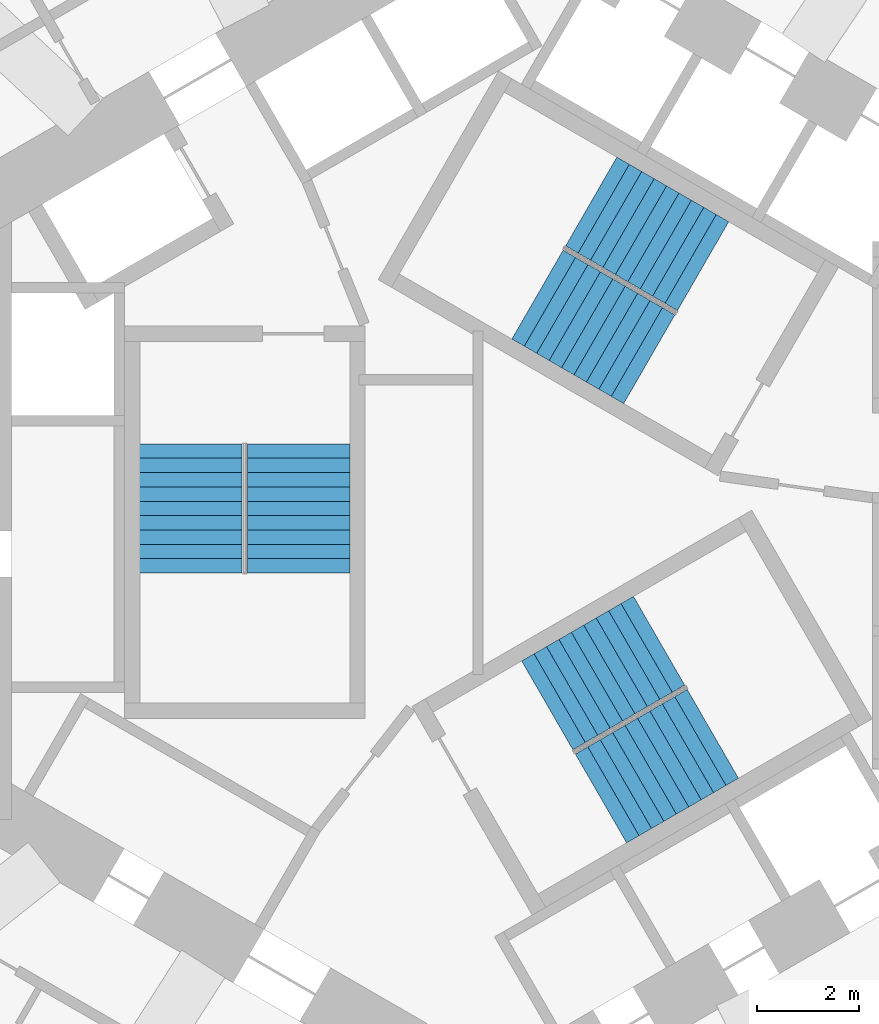
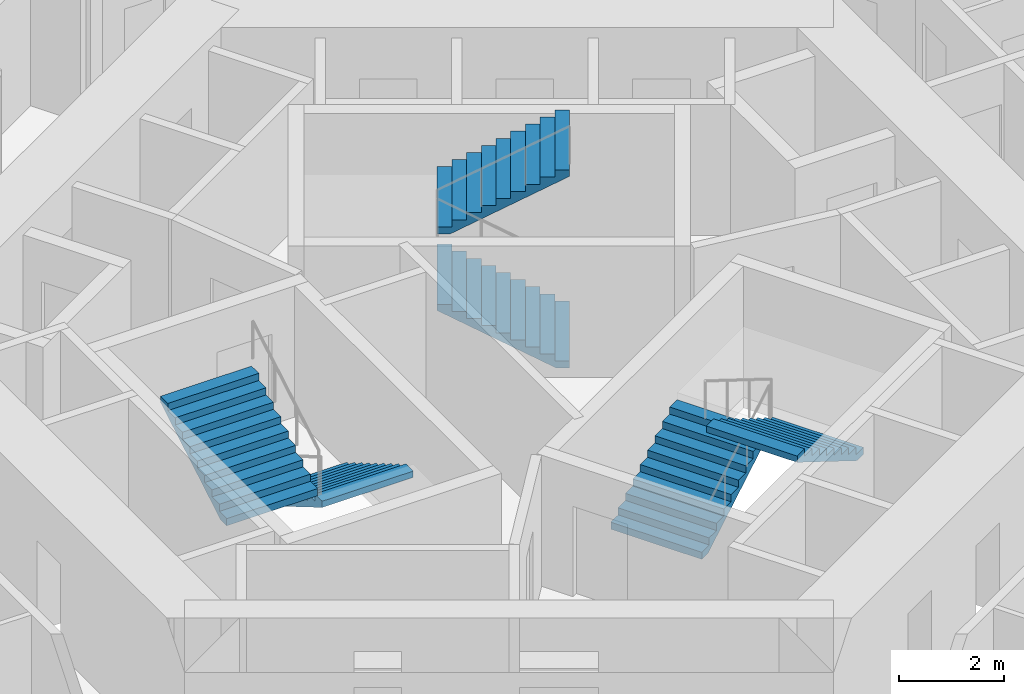
# One storey, part 10 of 12: 6 stair flights, 3 elements without a shape of their own.
"""IFC4 building model written with IfcOpenShell, lengths in metres."""

from ifc_helpers import new_model, si_unit, direction, frame, origin, place, context, subcontext, project, spatial, triangles, source, transform, mapped, material, type_object, element, aggregate, save


model = new_model("IFC4")

# Units and contexts
model_context = context("Model", 3, precision=1e-05, world=origin(), true_north=direction((0.0, 1.0)))
body_context = subcontext(model_context, "Body", "Model", "MODEL_VIEW")
ifc_project = project(units=[si_unit("LENGTHUNIT", "METRE"), si_unit("AREAUNIT", "SQUARE_METRE"), si_unit("VOLUMEUNIT", "CUBIC_METRE"), si_unit("PLANEANGLEUNIT", "RADIAN"), si_unit("MASSUNIT", "GRAM", prefix="KILO")], contexts=[model_context])

# Site, building, storey
site_placement = place(None, origin())
site = spatial("IfcSite", under=ifc_project, at=site_placement, CompositionType="ELEMENT")
building_placement = place(site_placement, origin())
building = spatial("IfcBuilding", under=site, at=building_placement, Name="Vanh Sen Convention Tower", CompositionType="ELEMENT")
storey_placement = place(building_placement, frame((0.0, 0.0, 47.300048828125)))
storey = spatial("IfcBuildingStorey", under=building, at=storey_placement, Name="L08", CompositionType="ELEMENT", Elevation=47.300048828125)

# Stair, stair flights
ifc_material_1 = material(Name="Concrete C50/60", Category="concrete")
stair_type_1 = type_object("IfcStairType", Name="Exit stair ST1 20 risers at 165.0", PredefinedType="HALF_TURN_STAIR", material=ifc_material_1)
stair_1_placement = place(storey_placement, origin())
stair_1 = element("IfcStair", 1, at=stair_1_placement, inside=storey, type_object=stair_type_1, Name="Exit stair ST1 L08", PredefinedType="HALF_TURN_STAIR")
ifc_material_2 = material(Name="Concrete C40/50", Category="concrete")
stair_flight_type = type_object("IfcStairFlightType", Name="Stair flight 2000", PredefinedType="STRAIGHT", material=ifc_material_2)
shared_shape = source(origin(), body_context, "Body", "Tessellation", [
    triangles([(0.24609375, 1.0, 0.0), (0.0, 1.0, 0.0), (0.0, 1.0, 0.1650390625), (0.280029296875, 1.0, 0.1650390625), (0.280029296875, 1.0, 0.330078125), (0.56005859375, 1.0, 0.330078125), (0.56005859375, 1.0, 0.4951171875), (0.840087890625, 1.0, 0.4951171875), (0.840087890625, 1.0, 0.659912109375), (1.1201171875, 1.0, 0.659912109375), (1.1201171875, 1.0, 0.824951171875), (1.39990234375, 1.0, 0.824951171875), (1.39990234375, 1.0, 0.989990234375), (1.679931640625, 1.0, 0.989990234375), (1.679931640625, 1.0, 1.155029296875), (1.9599609375, 1.0, 1.155029296875), (1.9599609375, 1.0, 1.320068359375), (2.239990234375, 1.0, 1.320068359375), (2.239990234375, 1.0, 1.485107421875), (2.52001953125, 1.0, 1.485107421875), (2.52001953125, 1.0, 1.33984375), (0.24609375, -1.0, 0.0), (0.0, -1.0, 0.0), (0.0, -1.0, 0.1650390625), (0.280029296875, -1.0, 0.1650390625), (0.280029296875, -1.0, 0.330078125), (0.56005859375, -1.0, 0.330078125), (0.56005859375, -1.0, 0.4951171875), (0.840087890625, -1.0, 0.4951171875), (0.840087890625, -1.0, 0.659912109375), (1.1201171875, -1.0, 0.659912109375), (1.1201171875, -1.0, 0.824951171875), (1.39990234375, -1.0, 0.824951171875), (1.39990234375, -1.0, 0.989990234375), (1.679931640625, -1.0, 0.989990234375), (1.679931640625, -1.0, 1.155029296875), (1.9599609375, -1.0, 1.155029296875), (1.9599609375, -1.0, 1.320068359375), (2.239990234375, -1.0, 1.320068359375), (2.239990234375, -1.0, 1.485107421875), (2.52001953125, -1.0, 1.485107421875), (2.52001953125, -1.0, 1.33984375), (0.0, 0.0400390625, 0.0), (0.0, 0.0390625, 0.0), (0.0, 0.0380859375, 0.0), (0.0, 0.037109375, 0.0), (0.0, 0.035888671875, 0.0), (0.0, 0.034912109375, 0.0), (0.0, 0.033935546875, 0.0), (0.0, 0.032958984375, 0.0), (0.0, 0.031982421875, 0.0), (0.0, 0.031005859375, 0.0), (0.0, 0.030029296875, 0.0), (0.0, 0.029052734375, 0.0), (0.0, 0.028076171875, 0.0), (0.0, 0.027099609375, 0.0), (0.0, 0.02587890625, 0.0), (0.0, 0.02490234375, 0.0), (0.0, 0.02392578125, 0.0), (0.0, 0.02294921875, 0.0), (0.0, 0.02197265625, 0.0), (0.0, 0.02099609375, 0.0), (0.0, 0.02001953125, 0.0), (0.0, 0.01904296875, 0.0), (0.0, 0.01806640625, 0.0), (0.0, 0.01708984375, 0.0), (0.0, 0.01611328125, 0.0), (0.0, 0.014892578125, 0.0), (0.0, 0.013916015625, 0.0), (0.0, 0.012939453125, 0.0), (0.0, 0.011962890625, 0.0), (0.0, 0.010986328125, 0.0), (0.0, 0.010009765625, 0.0), (0.0, 0.009033203125, 0.0), (0.0, 0.008056640625, 0.0), (0.0, 0.007080078125, 0.0), (0.0, 0.006103515625, 0.0), (0.0, 0.0048828125, 0.0), (0.0, 0.00390625, 0.0), (0.0, 0.0029296875, 0.0), (0.0, 0.001953125, 0.0), (0.0, 0.0009765625, 0.0), (0.0, 0.0, 0.0), (0.0, -0.0009765625, 0.0), (0.0, -0.001953125, 0.0), (0.0, -0.0029296875, 0.0), (0.0, -0.00390625, 0.0), (0.0, -0.0048828125, 0.0), (0.0, -0.006103515625, 0.0), (0.0, -0.007080078125, 0.0), (0.0, -0.008056640625, 0.0), (0.0, -0.009033203125, 0.0), (0.0, -0.010009765625, 0.0), (0.0, -0.010986328125, 0.0), (0.0, -0.011962890625, 0.0), (0.0, -0.012939453125, 0.0), (0.0, -0.013916015625, 0.0), (0.0, -0.014892578125, 0.0), (0.0, -0.01611328125, 0.0), (0.0, -0.01708984375, 0.0), (0.0, -0.01806640625, 0.0), (0.0, -0.01904296875, 0.0), (0.0, -0.02001953125, 0.0), (0.0, -0.02099609375, 0.0), (0.0, -0.02197265625, 0.0), (0.0, -0.02294921875, 0.0), (0.0, -0.02392578125, 0.0), (0.0, -0.02490234375, 0.0), (0.0, -0.02587890625, 0.0), (0.0, -0.027099609375, 0.0), (0.0, -0.028076171875, 0.0), (0.0, -0.029052734375, 0.0), (0.0, -0.030029296875, 0.0), (0.0, -0.031005859375, 0.0), (0.0, -0.031982421875, 0.0), (0.0, -0.032958984375, 0.0), (0.0, -0.033935546875, 0.0), (0.0, -0.034912109375, 0.0), (0.0, -0.035888671875, 0.0), (0.0, -0.037109375, 0.0), (0.0, -0.0380859375, 0.0), (0.0, -0.0390625, 0.0), (0.0, -0.0400390625, 0.0), (0.0, 0.0400390625, 0.1650390625), (0.0, 0.0390625, 0.1650390625), (0.0, 0.0380859375, 0.1650390625), (0.0, 0.037109375, 0.1650390625), (0.0, 0.035888671875, 0.1650390625), (0.0, 0.034912109375, 0.1650390625), (0.0, 0.033935546875, 0.1650390625), (0.0, 0.032958984375, 0.1650390625), (0.0, 0.031982421875, 0.1650390625), (0.0, 0.031005859375, 0.1650390625), (0.0, 0.030029296875, 0.1650390625), (0.0, 0.029052734375, 0.1650390625), (0.0, 0.028076171875, 0.1650390625), (0.0, 0.027099609375, 0.1650390625), (0.0, 0.02587890625, 0.1650390625), (0.0, 0.02490234375, 0.1650390625), (0.0, 0.02392578125, 0.1650390625), (0.0, 0.02294921875, 0.1650390625), (0.0, 0.02197265625, 0.1650390625), (0.0, 0.02099609375, 0.1650390625), (0.0, 0.02001953125, 0.1650390625), (0.0, 0.01904296875, 0.1650390625), (0.0, 0.01806640625, 0.1650390625), (0.0, 0.01708984375, 0.1650390625), (0.0, 0.01611328125, 0.1650390625), (0.0, 0.014892578125, 0.1650390625), (0.0, 0.013916015625, 0.1650390625), (0.0, 0.012939453125, 0.1650390625), (0.0, 0.011962890625, 0.1650390625), (0.0, 0.010986328125, 0.1650390625), (0.0, 0.010009765625, 0.1650390625), (0.0, 0.009033203125, 0.1650390625), (0.0, 0.008056640625, 0.1650390625), (0.0, 0.007080078125, 0.1650390625), (0.0, 0.006103515625, 0.1650390625), (0.0, 0.0048828125, 0.1650390625), (0.0, 0.00390625, 0.1650390625), (0.0, 0.0029296875, 0.1650390625), (0.0, 0.001953125, 0.1650390625), (0.0, 0.0009765625, 0.1650390625), (0.0, 0.0, 0.1650390625), (0.0, -0.0009765625, 0.1650390625), (0.0, -0.001953125, 0.1650390625), (0.0, -0.0029296875, 0.1650390625), (0.0, -0.00390625, 0.1650390625), (0.0, -0.0048828125, 0.1650390625), (0.0, -0.006103515625, 0.1650390625), (0.0, -0.007080078125, 0.1650390625), (0.0, -0.008056640625, 0.1650390625), (0.0, -0.009033203125, 0.1650390625), (0.0, -0.010009765625, 0.1650390625), (0.0, -0.010986328125, 0.1650390625), (0.0, -0.011962890625, 0.1650390625), (0.0, -0.012939453125, 0.1650390625), (0.0, -0.013916015625, 0.1650390625), (0.0, -0.014892578125, 0.1650390625), (0.0, -0.01611328125, 0.1650390625), (0.0, -0.01708984375, 0.1650390625), (0.0, -0.01806640625, 0.1650390625), (0.0, -0.01904296875, 0.1650390625), (0.0, -0.02001953125, 0.1650390625), (0.0, -0.02099609375, 0.1650390625), (0.0, -0.02197265625, 0.1650390625), (0.0, -0.02294921875, 0.1650390625), (0.0, -0.02392578125, 0.1650390625), (0.0, -0.02490234375, 0.1650390625), (0.0, -0.02587890625, 0.1650390625), (0.0, -0.027099609375, 0.1650390625), (0.0, -0.028076171875, 0.1650390625), (0.0, -0.029052734375, 0.1650390625), (0.0, -0.030029296875, 0.1650390625), (0.0, -0.031005859375, 0.1650390625), (0.0, -0.031982421875, 0.1650390625), (0.0, -0.032958984375, 0.1650390625), (0.0, -0.033935546875, 0.1650390625), (0.0, -0.034912109375, 0.1650390625), (0.0, -0.035888671875, 0.1650390625), (0.0, -0.037109375, 0.1650390625), (0.0, -0.0380859375, 0.1650390625), (0.0, -0.0390625, 0.1650390625), (0.0, -0.0400390625, 0.1650390625), (0.280029296875, 0.0, 0.1650390625), (0.280029296875, 0.0, 0.330078125), (0.56005859375, 0.0, 0.330078125), (0.56005859375, 0.0, 0.4951171875), (0.840087890625, 0.0, 0.4951171875), (0.840087890625, 0.0, 0.659912109375), (1.1201171875, 0.0, 0.659912109375), (1.1201171875, 0.0, 0.824951171875), (1.39990234375, 0.0, 0.824951171875), (1.39990234375, 0.0, 0.989990234375), (1.679931640625, 0.0, 0.989990234375), (1.679931640625, 0.0, 1.155029296875), (1.9599609375, 0.0, 1.155029296875), (1.9599609375, 0.0, 1.320068359375), (2.239990234375, 0.0, 1.320068359375), (2.239990234375, 0.0, 1.485107421875), (2.52001953125, 0.0400390625, 1.485107421875), (2.52001953125, 0.0390625, 1.485107421875), (2.52001953125, 0.0380859375, 1.485107421875), (2.52001953125, 0.037109375, 1.485107421875), (2.52001953125, 0.035888671875, 1.485107421875), (2.52001953125, 0.034912109375, 1.485107421875), (2.52001953125, 0.033935546875, 1.485107421875), (2.52001953125, 0.032958984375, 1.485107421875), (2.52001953125, 0.031982421875, 1.485107421875), (2.52001953125, 0.031005859375, 1.485107421875), (2.52001953125, 0.030029296875, 1.485107421875), (2.52001953125, 0.029052734375, 1.485107421875), (2.52001953125, 0.028076171875, 1.485107421875), (2.52001953125, 0.027099609375, 1.485107421875), (2.52001953125, 0.02587890625, 1.485107421875), (2.52001953125, 0.02490234375, 1.485107421875), (2.52001953125, 0.02392578125, 1.485107421875), (2.52001953125, 0.02294921875, 1.485107421875), (2.52001953125, 0.02197265625, 1.485107421875), (2.52001953125, 0.02099609375, 1.485107421875), (2.52001953125, 0.02001953125, 1.485107421875), (2.52001953125, 0.01904296875, 1.485107421875), (2.52001953125, 0.01806640625, 1.485107421875), (2.52001953125, 0.01708984375, 1.485107421875), (2.52001953125, 0.01611328125, 1.485107421875), (2.52001953125, 0.014892578125, 1.485107421875), (2.52001953125, 0.013916015625, 1.485107421875), (2.52001953125, 0.012939453125, 1.485107421875), (2.52001953125, 0.011962890625, 1.485107421875), (2.52001953125, 0.010986328125, 1.485107421875), (2.52001953125, 0.010009765625, 1.485107421875), (2.52001953125, 0.009033203125, 1.485107421875), (2.52001953125, 0.008056640625, 1.485107421875), (2.52001953125, 0.007080078125, 1.485107421875), (2.52001953125, 0.006103515625, 1.485107421875), (2.52001953125, 0.0048828125, 1.485107421875), (2.52001953125, 0.00390625, 1.485107421875), (2.52001953125, 0.0029296875, 1.485107421875), (2.52001953125, 0.001953125, 1.485107421875), (2.52001953125, 0.0009765625, 1.485107421875), (2.52001953125, 0.0, 1.485107421875), (2.52001953125, -0.0009765625, 1.485107421875), (2.52001953125, -0.001953125, 1.485107421875), (2.52001953125, -0.0029296875, 1.485107421875), (2.52001953125, -0.00390625, 1.485107421875), (2.52001953125, -0.0048828125, 1.485107421875), (2.52001953125, -0.006103515625, 1.485107421875), (2.52001953125, -0.007080078125, 1.485107421875), (2.52001953125, -0.008056640625, 1.485107421875), (2.52001953125, -0.009033203125, 1.485107421875), (2.52001953125, -0.010009765625, 1.485107421875), (2.52001953125, -0.010986328125, 1.485107421875), (2.52001953125, -0.011962890625, 1.485107421875), (2.52001953125, -0.012939453125, 1.485107421875), (2.52001953125, -0.013916015625, 1.485107421875), (2.52001953125, -0.014892578125, 1.485107421875), (2.52001953125, -0.01611328125, 1.485107421875), (2.52001953125, -0.01708984375, 1.485107421875), (2.52001953125, -0.01806640625, 1.485107421875), (2.52001953125, -0.01904296875, 1.485107421875), (2.52001953125, -0.02001953125, 1.485107421875), (2.52001953125, -0.02099609375, 1.485107421875), (2.52001953125, -0.02197265625, 1.485107421875), (2.52001953125, -0.02294921875, 1.485107421875), (2.52001953125, -0.02392578125, 1.485107421875), (2.52001953125, -0.02490234375, 1.485107421875), (2.52001953125, -0.02587890625, 1.485107421875), (2.52001953125, -0.027099609375, 1.485107421875), (2.52001953125, -0.028076171875, 1.485107421875), (2.52001953125, -0.029052734375, 1.485107421875), (2.52001953125, -0.030029296875, 1.485107421875), (2.52001953125, -0.031005859375, 1.485107421875), (2.52001953125, -0.031982421875, 1.485107421875), (2.52001953125, -0.032958984375, 1.485107421875), (2.52001953125, -0.033935546875, 1.485107421875), (2.52001953125, -0.034912109375, 1.485107421875), (2.52001953125, -0.035888671875, 1.485107421875), (2.52001953125, -0.037109375, 1.485107421875), (2.52001953125, -0.0380859375, 1.485107421875), (2.52001953125, -0.0390625, 1.485107421875), (2.52001953125, -0.0400390625, 1.485107421875), (2.52001953125, 0.0400390625, 1.33984375), (2.52001953125, 0.0390625, 1.33984375), (2.52001953125, 0.0380859375, 1.33984375), (2.52001953125, 0.037109375, 1.33984375), (2.52001953125, 0.035888671875, 1.33984375), (2.52001953125, 0.034912109375, 1.33984375), (2.52001953125, 0.033935546875, 1.33984375), (2.52001953125, 0.032958984375, 1.33984375), (2.52001953125, 0.031982421875, 1.33984375), (2.52001953125, 0.031005859375, 1.33984375), (2.52001953125, 0.030029296875, 1.33984375), (2.52001953125, 0.029052734375, 1.33984375), (2.52001953125, 0.028076171875, 1.33984375), (2.52001953125, 0.027099609375, 1.33984375), (2.52001953125, 0.02587890625, 1.33984375), (2.52001953125, 0.02490234375, 1.33984375), (2.52001953125, 0.02392578125, 1.33984375), (2.52001953125, 0.02294921875, 1.33984375), (2.52001953125, 0.02197265625, 1.33984375), (2.52001953125, 0.02099609375, 1.33984375), (2.52001953125, 0.02001953125, 1.33984375), (2.52001953125, 0.01904296875, 1.33984375), (2.52001953125, 0.01806640625, 1.33984375), (2.52001953125, 0.01708984375, 1.33984375), (2.52001953125, 0.01611328125, 1.33984375), (2.52001953125, 0.014892578125, 1.33984375), (2.52001953125, 0.013916015625, 1.33984375), (2.52001953125, 0.012939453125, 1.33984375), (2.52001953125, 0.011962890625, 1.33984375), (2.52001953125, 0.010986328125, 1.33984375), (2.52001953125, 0.010009765625, 1.33984375), (2.52001953125, 0.009033203125, 1.33984375), (2.52001953125, 0.008056640625, 1.33984375), (2.52001953125, 0.007080078125, 1.33984375), (2.52001953125, 0.006103515625, 1.33984375), (2.52001953125, 0.0048828125, 1.33984375), (2.52001953125, 0.00390625, 1.33984375), (2.52001953125, 0.0029296875, 1.33984375), (2.52001953125, 0.001953125, 1.33984375), (2.52001953125, 0.0009765625, 1.33984375), (2.52001953125, 0.0, 1.33984375), (2.52001953125, -0.0009765625, 1.33984375), (2.52001953125, -0.001953125, 1.33984375), (2.52001953125, -0.0029296875, 1.33984375), (2.52001953125, -0.00390625, 1.33984375), (2.52001953125, -0.0048828125, 1.33984375), (2.52001953125, -0.006103515625, 1.33984375), (2.52001953125, -0.007080078125, 1.33984375), (2.52001953125, -0.008056640625, 1.33984375), (2.52001953125, -0.009033203125, 1.33984375), (2.52001953125, -0.010009765625, 1.33984375), (2.52001953125, -0.010986328125, 1.33984375), (2.52001953125, -0.011962890625, 1.33984375), (2.52001953125, -0.012939453125, 1.33984375), (2.52001953125, -0.013916015625, 1.33984375), (2.52001953125, -0.014892578125, 1.33984375), (2.52001953125, -0.01611328125, 1.33984375), (2.52001953125, -0.01708984375, 1.33984375), (2.52001953125, -0.01806640625, 1.33984375), (2.52001953125, -0.01904296875, 1.33984375), (2.52001953125, -0.02001953125, 1.33984375), (2.52001953125, -0.02099609375, 1.33984375), (2.52001953125, -0.02197265625, 1.33984375), (2.52001953125, -0.02294921875, 1.33984375), (2.52001953125, -0.02392578125, 1.33984375), (2.52001953125, -0.02490234375, 1.33984375), (2.52001953125, -0.02587890625, 1.33984375), (2.52001953125, -0.027099609375, 1.33984375), (2.52001953125, -0.028076171875, 1.33984375), (2.52001953125, -0.029052734375, 1.33984375), (2.52001953125, -0.030029296875, 1.33984375), (2.52001953125, -0.031005859375, 1.33984375), (2.52001953125, -0.031982421875, 1.33984375), (2.52001953125, -0.032958984375, 1.33984375), (2.52001953125, -0.033935546875, 1.33984375), (2.52001953125, -0.034912109375, 1.33984375), (2.52001953125, -0.035888671875, 1.33984375), (2.52001953125, -0.037109375, 1.33984375), (2.52001953125, -0.0380859375, 1.33984375), (2.52001953125, -0.0390625, 1.33984375), (2.52001953125, -0.0400390625, 1.33984375), (0.24609375, 0.0, 0.0)], [[1, 2, 3], [1, 3, 4], [4, 5, 6], [1, 4, 6], [6, 7, 8], [1, 6, 8], [8, 9, 10], [1, 8, 10], [10, 11, 12], [1, 10, 12], [12, 13, 14], [1, 12, 14], [14, 15, 16], [1, 14, 16], [16, 17, 18], [1, 16, 18], [18, 19, 20], [1, 18, 20], [20, 21, 1], [22, 24, 23], [22, 25, 24], [25, 27, 26], [22, 27, 25], [27, 29, 28], [22, 29, 27], [29, 31, 30], [22, 31, 29], [31, 33, 32], [22, 33, 31], [33, 35, 34], [22, 35, 33], [35, 37, 36], [22, 37, 35], [37, 39, 38], [22, 39, 37], [39, 41, 40], [22, 41, 39], [41, 22, 42], [2, 124, 3], [2, 43, 124], [43, 125, 124], [43, 44, 125], [44, 126, 125], [44, 45, 126], [45, 127, 126], [45, 46, 127], [46, 128, 127], [46, 47, 128], [47, 129, 128], [47, 48, 129], [48, 130, 129], [48, 49, 130], [49, 131, 130], [49, 50, 131], [50, 132, 131], [50, 51, 132], [51, 133, 132], [51, 52, 133], [52, 134, 133], [52, 53, 134], [53, 135, 134], [53, 54, 135], [54, 136, 135], [54, 55, 136], [55, 137, 136], [55, 56, 137], [56, 138, 137], [56, 57, 138], [57, 139, 138], [57, 58, 139], [58, 140, 139], [58, 59, 140], [59, 141, 140], [59, 60, 141], [60, 142, 141], [60, 61, 142], [61, 143, 142], [61, 62, 143], [62, 144, 143], [62, 63, 144], [63, 145, 144], [63, 64, 145], [64, 146, 145], [64, 65, 146], [65, 147, 146], [65, 66, 147], [66, 148, 147], [66, 67, 148], [67, 149, 148], [67, 68, 149], [68, 150, 149], [68, 69, 150], [69, 151, 150], [69, 70, 151], [70, 152, 151], [70, 71, 152], [71, 153, 152], [71, 72, 153], [72, 154, 153], [72, 73, 154], [73, 155, 154], [73, 74, 155], [74, 156, 155], [74, 75, 156], [75, 157, 156], [75, 76, 157], [76, 158, 157], [76, 77, 158], [77, 159, 158], [77, 78, 159], [78, 160, 159], [78, 79, 160], [79, 161, 160], [79, 80, 161], [80, 162, 161], [80, 81, 162], [81, 163, 162], [81, 82, 163], [82, 164, 163], [82, 83, 164], [83, 84, 164], [164, 84, 165], [84, 85, 165], [165, 85, 166], [85, 86, 166], [166, 86, 167], [86, 87, 167], [167, 87, 168], [87, 88, 168], [168, 88, 169], [88, 89, 169], [169, 89, 170], [89, 90, 170], [170, 90, 171], [90, 91, 171], [171, 91, 172], [91, 92, 172], [172, 92, 173], [92, 93, 173], [173, 93, 174], [93, 94, 174], [174, 94, 175], [94, 95, 175], [175, 95, 176], [95, 96, 176], [176, 96, 177], [96, 97, 177], [177, 97, 178], [97, 98, 178], [178, 98, 179], [98, 99, 179], [179, 99, 180], [99, 100, 180], [180, 100, 181], [100, 101, 181], [181, 101, 182], [101, 102, 182], [182, 102, 183], [102, 103, 183], [183, 103, 184], [103, 104, 184], [184, 104, 185], [104, 105, 185], [185, 105, 186], [105, 106, 186], [186, 106, 187], [106, 107, 187], [187, 107, 188], [107, 108, 188], [188, 108, 189], [108, 109, 189], [189, 109, 190], [109, 110, 190], [190, 110, 191], [110, 111, 191], [191, 111, 192], [111, 112, 192], [192, 112, 193], [112, 113, 193], [193, 113, 194], [113, 114, 194], [194, 114, 195], [114, 115, 195], [195, 115, 196], [115, 116, 196], [196, 116, 197], [116, 117, 197], [197, 117, 198], [117, 118, 198], [198, 118, 199], [118, 119, 199], [199, 119, 200], [119, 120, 200], [200, 120, 201], [120, 121, 201], [201, 121, 202], [121, 122, 202], [202, 122, 203], [122, 123, 203], [203, 123, 204], [123, 23, 204], [204, 23, 24], [4, 3, 124], [4, 124, 125], [4, 125, 126], [4, 126, 127], [4, 127, 128], [4, 128, 129], [4, 129, 130], [4, 130, 131], [4, 131, 132], [4, 132, 133], [4, 133, 134], [4, 134, 135], [4, 135, 136], [4, 136, 137], [4, 137, 138], [4, 138, 139], [4, 139, 140], [4, 140, 141], [4, 141, 142], [4, 142, 143], [4, 143, 144], [4, 144, 145], [4, 145, 146], [4, 146, 147], [4, 147, 148], [4, 148, 149], [4, 149, 150], [4, 150, 151], [4, 151, 152], [4, 152, 153], [4, 153, 154], [4, 154, 155], [4, 155, 156], [4, 156, 157], [4, 157, 158], [4, 158, 159], [4, 159, 160], [4, 160, 161], [4, 161, 162], [4, 162, 163], [4, 163, 164], [25, 164, 165], [25, 165, 166], [25, 166, 167], [25, 167, 168], [25, 168, 169], [25, 169, 170], [25, 170, 171], [25, 171, 172], [25, 172, 173], [25, 173, 174], [25, 174, 175], [25, 175, 176], [25, 176, 177], [25, 177, 178], [25, 178, 179], [25, 179, 180], [25, 180, 181], [25, 181, 182], [25, 182, 183], [25, 183, 184], [25, 184, 185], [25, 185, 186], [25, 186, 187], [25, 187, 188], [25, 188, 189], [25, 189, 190], [25, 190, 191], [25, 191, 192], [25, 192, 193], [25, 193, 194], [25, 194, 195], [25, 195, 196], [25, 196, 197], [25, 197, 198], [25, 198, 199], [25, 199, 200], [25, 200, 201], [25, 201, 202], [25, 202, 203], [25, 203, 204], [25, 204, 24], [4, 164, 205], [25, 205, 164], [4, 206, 5], [4, 205, 206], [205, 25, 206], [206, 25, 26], [5, 207, 6], [5, 206, 207], [206, 26, 207], [207, 26, 27], [6, 208, 7], [6, 207, 208], [207, 27, 208], [208, 27, 28], [7, 209, 8], [7, 208, 209], [208, 28, 209], [209, 28, 29], [8, 210, 9], [8, 209, 210], [209, 29, 210], [210, 29, 30], [9, 211, 10], [9, 210, 211], [210, 30, 211], [211, 30, 31], [10, 212, 11], [10, 211, 212], [211, 31, 212], [212, 31, 32], [11, 213, 12], [11, 212, 213], [212, 32, 213], [213, 32, 33], [12, 214, 13], [12, 213, 214], [213, 33, 214], [214, 33, 34], [13, 215, 14], [13, 214, 215], [214, 34, 215], [215, 34, 35], [14, 216, 15], [14, 215, 216], [215, 35, 216], [216, 35, 36], [15, 217, 16], [15, 216, 217], [216, 36, 217], [217, 36, 37], [16, 218, 17], [16, 217, 218], [217, 37, 218], [218, 37, 38], [17, 219, 18], [17, 218, 219], [218, 38, 219], [219, 38, 39], [18, 220, 19], [18, 219, 220], [219, 39, 220], [220, 39, 40], [19, 221, 20], [19, 222, 221], [19, 223, 222], [19, 224, 223], [19, 225, 224], [19, 226, 225], [19, 227, 226], [19, 228, 227], [19, 229, 228], [19, 230, 229], [19, 231, 230], [19, 232, 231], [19, 233, 232], [19, 234, 233], [19, 235, 234], [19, 236, 235], [19, 237, 236], [19, 238, 237], [19, 239, 238], [19, 240, 239], [19, 241, 240], [19, 242, 241], [19, 243, 242], [19, 244, 243], [19, 245, 244], [19, 246, 245], [19, 247, 246], [19, 248, 247], [19, 249, 248], [19, 250, 249], [19, 251, 250], [19, 252, 251], [19, 253, 252], [19, 254, 253], [19, 255, 254], [19, 256, 255], [19, 257, 256], [19, 258, 257], [19, 259, 258], [19, 260, 259], [19, 261, 260], [40, 262, 261], [40, 263, 262], [40, 264, 263], [40, 265, 264], [40, 266, 265], [40, 267, 266], [40, 268, 267], [40, 269, 268], [40, 270, 269], [40, 271, 270], [40, 272, 271], [40, 273, 272], [40, 274, 273], [40, 275, 274], [40, 276, 275], [40, 277, 276], [40, 278, 277], [40, 279, 278], [40, 280, 279], [40, 281, 280], [40, 282, 281], [40, 283, 282], [40, 284, 283], [40, 285, 284], [40, 286, 285], [40, 287, 286], [40, 288, 287], [40, 289, 288], [40, 290, 289], [40, 291, 290], [40, 292, 291], [40, 293, 292], [40, 294, 293], [40, 295, 294], [40, 296, 295], [40, 297, 296], [40, 298, 297], [40, 299, 298], [40, 300, 299], [40, 301, 300], [40, 41, 301], [19, 220, 261], [40, 261, 220], [20, 302, 21], [20, 221, 302], [221, 303, 302], [221, 222, 303], [222, 304, 303], [222, 223, 304], [223, 305, 304], [223, 224, 305], [224, 306, 305], [224, 225, 306], [225, 307, 306], [225, 226, 307], [226, 308, 307], [226, 227, 308], [227, 309, 308], [227, 228, 309], [228, 310, 309], [228, 229, 310], [229, 311, 310], [229, 230, 311], [230, 312, 311], [230, 231, 312], [231, 313, 312], [231, 232, 313], [232, 314, 313], [232, 233, 314], [233, 315, 314], [233, 234, 315], [234, 316, 315], [234, 235, 316], [235, 317, 316], [235, 236, 317], [236, 318, 317], [236, 237, 318], [237, 319, 318], [237, 238, 319], [238, 320, 319], [238, 239, 320], [239, 321, 320], [239, 240, 321], [240, 322, 321], [240, 241, 322], [241, 323, 322], [241, 242, 323], [242, 324, 323], [242, 243, 324], [243, 325, 324], [243, 244, 325], [244, 326, 325], [244, 245, 326], [245, 327, 326], [245, 246, 327], [246, 328, 327], [246, 247, 328], [247, 329, 328], [247, 248, 329], [248, 330, 329], [248, 249, 330], [249, 331, 330], [249, 250, 331], [250, 332, 331], [250, 251, 332], [251, 333, 332], [251, 252, 333], [252, 334, 333], [252, 253, 334], [253, 335, 334], [253, 254, 335], [254, 336, 335], [254, 255, 336], [255, 337, 336], [255, 256, 337], [256, 338, 337], [256, 257, 338], [257, 339, 338], [257, 258, 339], [258, 340, 339], [258, 259, 340], [259, 341, 340], [259, 260, 341], [260, 342, 341], [260, 261, 342], [261, 262, 342], [342, 262, 343], [262, 263, 343], [343, 263, 344], [263, 264, 344], [344, 264, 345], [264, 265, 345], [345, 265, 346], [265, 266, 346], [346, 266, 347], [266, 267, 347], [347, 267, 348], [267, 268, 348], [348, 268, 349], [268, 269, 349], [349, 269, 350], [269, 270, 350], [350, 270, 351], [270, 271, 351], [351, 271, 352], [271, 272, 352], [352, 272, 353], [272, 273, 353], [353, 273, 354], [273, 274, 354], [354, 274, 355], [274, 275, 355], [355, 275, 356], [275, 276, 356], [356, 276, 357], [276, 277, 357], [357, 277, 358], [277, 278, 358], [358, 278, 359], [278, 279, 359], [359, 279, 360], [279, 280, 360], [360, 280, 361], [280, 281, 361], [361, 281, 362], [281, 282, 362], [362, 282, 363], [282, 283, 363], [363, 283, 364], [283, 284, 364], [364, 284, 365], [284, 285, 365], [365, 285, 366], [285, 286, 366], [366, 286, 367], [286, 287, 367], [367, 287, 368], [287, 288, 368], [368, 288, 369], [288, 289, 369], [369, 289, 370], [289, 290, 370], [370, 290, 371], [290, 291, 371], [371, 291, 372], [291, 292, 372], [372, 292, 373], [292, 293, 373], [373, 293, 374], [293, 294, 374], [374, 294, 375], [294, 295, 375], [375, 295, 376], [295, 296, 376], [376, 296, 377], [296, 297, 377], [377, 297, 378], [297, 298, 378], [378, 298, 379], [298, 299, 379], [379, 299, 380], [299, 300, 380], [380, 300, 381], [300, 301, 381], [381, 301, 382], [301, 41, 382], [382, 41, 42], [1, 21, 302], [1, 302, 303], [1, 303, 304], [1, 304, 305], [1, 305, 306], [1, 306, 307], [1, 307, 308], [1, 308, 309], [1, 309, 310], [1, 310, 311], [1, 311, 312], [1, 312, 313], [1, 313, 314], [1, 314, 315], [1, 315, 316], [1, 316, 317], [1, 317, 318], [1, 318, 319], [1, 319, 320], [1, 320, 321], [1, 321, 322], [1, 322, 323], [1, 323, 324], [1, 324, 325], [1, 325, 326], [1, 326, 327], [1, 327, 328], [1, 328, 329], [1, 329, 330], [1, 330, 331], [1, 331, 332], [1, 332, 333], [1, 333, 334], [1, 334, 335], [1, 335, 336], [1, 336, 337], [1, 337, 338], [1, 338, 339], [1, 339, 340], [1, 340, 341], [1, 341, 342], [22, 342, 343], [22, 343, 344], [22, 344, 345], [22, 345, 346], [22, 346, 347], [22, 347, 348], [22, 348, 349], [22, 349, 350], [22, 350, 351], [22, 351, 352], [22, 352, 353], [22, 353, 354], [22, 354, 355], [22, 355, 356], [22, 356, 357], [22, 357, 358], [22, 358, 359], [22, 359, 360], [22, 360, 361], [22, 361, 362], [22, 362, 363], [22, 363, 364], [22, 364, 365], [22, 365, 366], [22, 366, 367], [22, 367, 368], [22, 368, 369], [22, 369, 370], [22, 370, 371], [22, 371, 372], [22, 372, 373], [22, 373, 374], [22, 374, 375], [22, 375, 376], [22, 376, 377], [22, 377, 378], [22, 378, 379], [22, 379, 380], [22, 380, 381], [22, 381, 382], [22, 382, 42], [1, 342, 383], [22, 383, 342], [1, 43, 2], [1, 44, 43], [1, 45, 44], [1, 46, 45], [1, 47, 46], [1, 48, 47], [1, 49, 48], [1, 50, 49], [1, 51, 50], [1, 52, 51], [1, 53, 52], [1, 54, 53], [1, 55, 54], [1, 56, 55], [1, 57, 56], [1, 58, 57], [1, 59, 58], [1, 60, 59], [1, 61, 60], [1, 62, 61], [1, 63, 62], [1, 64, 63], [1, 65, 64], [1, 66, 65], [1, 67, 66], [1, 68, 67], [1, 69, 68], [1, 70, 69], [1, 71, 70], [1, 72, 71], [1, 73, 72], [1, 74, 73], [1, 75, 74], [1, 76, 75], [1, 77, 76], [1, 78, 77], [1, 79, 78], [1, 80, 79], [1, 81, 80], [1, 82, 81], [1, 83, 82], [22, 84, 83], [22, 85, 84], [22, 86, 85], [22, 87, 86], [22, 88, 87], [22, 89, 88], [22, 90, 89], [22, 91, 90], [22, 92, 91], [22, 93, 92], [22, 94, 93], [22, 95, 94], [22, 96, 95], [22, 97, 96], [22, 98, 97], [22, 99, 98], [22, 100, 99], [22, 101, 100], [22, 102, 101], [22, 103, 102], [22, 104, 103], [22, 105, 104], [22, 106, 105], [22, 107, 106], [22, 108, 107], [22, 109, 108], [22, 110, 109], [22, 111, 110], [22, 112, 111], [22, 113, 112], [22, 114, 113], [22, 115, 114], [22, 116, 115], [22, 117, 116], [22, 118, 117], [22, 119, 118], [22, 120, 119], [22, 121, 120], [22, 122, 121], [22, 123, 122], [22, 23, 123], [1, 383, 83], [22, 83, 383]], closed=True),
])
stair_flight_1_placement = place(storey_placement, frame((2.94580078125, 2.802490234375, 0.0), z_axis=(0.0, 0.0, 1.0), x_axis=(-0.866025403784, 0.5, 0.0)))
stair_flight_1 = element("IfcStairFlight", 2, at=stair_flight_1_placement, type_object=stair_flight_type, Name="ST1 flight 1", NumberOfRisers=10, NumberOfTreads=9, PredefinedType="STRAIGHT", RiserHeight=0.165, TreadLength=0.28, context=body_context, shape_type="MappedRepresentation", body=[
    mapped(shared_shape, transform((0.0, 0.0, 0.0))),
])
stair_flight_2_placement = place(storey_placement, frame((1.8134765625, 5.881103515625, 1.64990234375), z_axis=(0.0, 0.0, 1.0), x_axis=(0.866025403784, -0.5, 0.0)))
stair_flight_2 = element("IfcStairFlight", 3, at=stair_flight_2_placement, type_object=stair_flight_type, Name="ST1 flight 2", NumberOfRisers=10, NumberOfTreads=9, PredefinedType="STRAIGHT", RiserHeight=0.165, TreadLength=0.28, context=body_context, shape_type="MappedRepresentation", body=[
    mapped(shared_shape, transform((0.0, 0.0, 0.0))),
])
aggregate(stair_1, [stair_flight_1, stair_flight_2])

stair_type_2 = type_object("IfcStairType", Name="Exit stair ST2 20 risers at 165.0", PredefinedType="HALF_TURN_STAIR", material=ifc_material_1)
stair_2_placement = place(storey_placement, origin())
stair_2 = element("IfcStair", 4, at=stair_2_placement, inside=storey, type_object=stair_type_2, Name="Exit stair ST2 L08", PredefinedType="HALF_TURN_STAIR")
stair_flight_3_placement = place(storey_placement, frame((-3.89990234375, 1.14990234375, 0.0), z_axis=(0.0, 0.0, 1.0), x_axis=(0.0, -1.0, 0.0)))
stair_flight_3 = element("IfcStairFlight", 5, at=stair_flight_3_placement, type_object=stair_flight_type, Name="ST2 flight 1", NumberOfRisers=10, NumberOfTreads=9, PredefinedType="STRAIGHT", RiserHeight=0.165, TreadLength=0.28, context=body_context, shape_type="MappedRepresentation", body=[
    mapped(shared_shape, transform((0.0, 0.0, 0.0))),
])
stair_flight_4_placement = place(storey_placement, frame((-6.0, -1.3701171875, 1.64990234375), z_axis=(0.0, 0.0, 1.0), x_axis=(0.0, 1.0, 0.0)))
stair_flight_4 = element("IfcStairFlight", 6, at=stair_flight_4_placement, type_object=stair_flight_type, Name="ST2 flight 2", NumberOfRisers=10, NumberOfTreads=9, PredefinedType="STRAIGHT", RiserHeight=0.165, TreadLength=0.28, context=body_context, shape_type="MappedRepresentation", body=[
    mapped(shared_shape, transform((0.0, 0.0, 0.0))),
])
aggregate(stair_2, [stair_flight_3, stair_flight_4])

stair_type_3 = type_object("IfcStairType", Name="Exit stair ST3 20 risers at 165.0", PredefinedType="HALF_TURN_STAIR", material=ifc_material_1)
stair_3_placement = place(storey_placement, origin())
stair_3 = element("IfcStair", 7, at=stair_3_placement, inside=storey, type_object=stair_type_3, Name="Exit stair ST3 L08", PredefinedType="HALF_TURN_STAIR")
stair_flight_5_placement = place(storey_placement, frame((0.9541015625, -3.952392578125, 0.0), z_axis=(0.0, 0.0, 1.0), x_axis=(0.866025403784, 0.5, 0.0)))
stair_flight_5 = element("IfcStairFlight", 8, at=stair_flight_5_placement, type_object=stair_flight_type, Name="ST3 flight 1", NumberOfRisers=10, NumberOfTreads=9, PredefinedType="STRAIGHT", RiserHeight=0.165, TreadLength=0.28, context=body_context, shape_type="MappedRepresentation", body=[
    mapped(shared_shape, transform((0.0, 0.0, 0.0))),
])
stair_flight_6_placement = place(storey_placement, frame((4.1865234375, -4.51123046875, 1.64990234375), z_axis=(0.0, 0.0, 1.0), x_axis=(-0.866025403784, -0.5, 0.0)))
stair_flight_6 = element("IfcStairFlight", 9, at=stair_flight_6_placement, type_object=stair_flight_type, Name="ST3 flight 2", NumberOfRisers=10, NumberOfTreads=9, PredefinedType="STRAIGHT", RiserHeight=0.165, TreadLength=0.28, context=body_context, shape_type="MappedRepresentation", body=[
    mapped(shared_shape, transform((0.0, 0.0, 0.0))),
])
aggregate(stair_3, [stair_flight_5, stair_flight_6])

save(model, "model.ifc")
